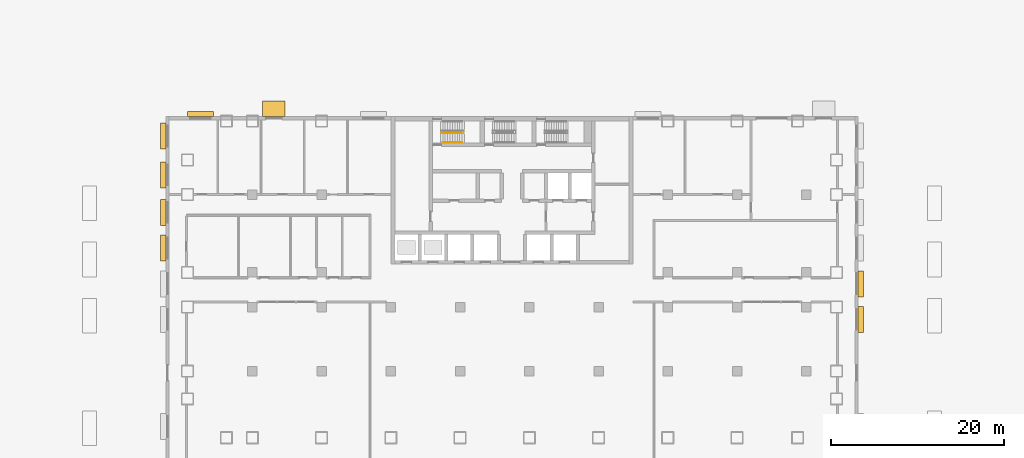
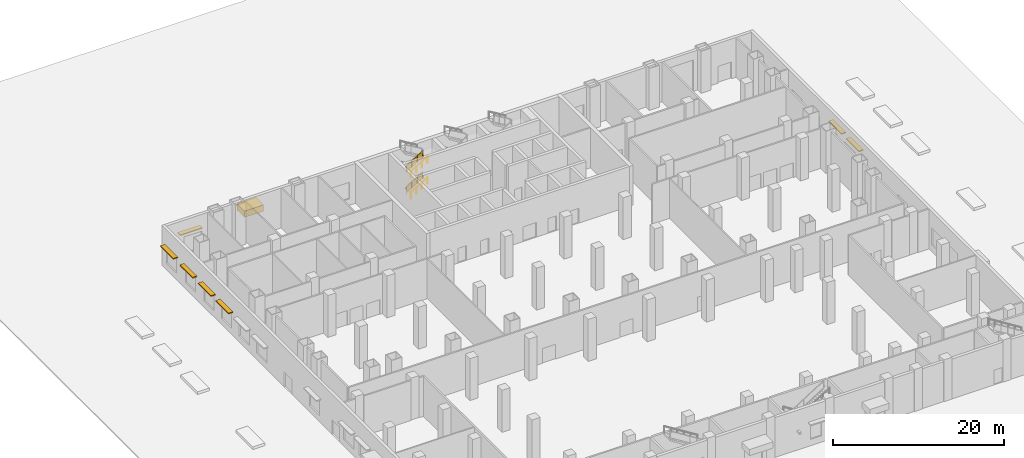
# One storey, part 15 of 18: 8 shading devices, 4 railings.
"""IFC4 building model written with IfcOpenShell, lengths in metres."""

from ifc_helpers import new_model, si_unit, direction, frame, frame_2d, origin, origin_2d, place, context, subcontext, project, spatial, rectangle, circle, extrude, material, layer, layer_set, type_object, element, save


model = new_model("IFC4")

# Units and contexts
model_context = context("Model", 3, precision=1e-05, world=origin(), true_north=direction((0.0, 1.0)))
body_context = subcontext(model_context, "Body", "Model", "MODEL_VIEW")
ifc_project = project(units=[si_unit("LENGTHUNIT", "METRE"), si_unit("AREAUNIT", "SQUARE_METRE"), si_unit("VOLUMEUNIT", "CUBIC_METRE"), si_unit("PLANEANGLEUNIT", "RADIAN"), si_unit("MASSUNIT", "GRAM", prefix="KILO")], contexts=[model_context])

# Site, building, storey
site_placement = place(None, origin())
site = spatial("IfcSite", under=ifc_project, at=site_placement, CompositionType="ELEMENT")
building_placement = place(site_placement, origin())
building = spatial("IfcBuilding", under=site, at=building_placement, Name="Vidyagriha Tower", CompositionType="ELEMENT")
storey_placement = place(building_placement, origin())
storey = spatial("IfcBuildingStorey", under=building, at=storey_placement, Name="L00", CompositionType="ELEMENT", Elevation=0.0)

# Shading devices
ifc_material_1 = material(Name="Precast concrete C40/50 with brick facing", Category="concrete")
ifc_layer_1 = layer(ifc_material_1, 0.14990234375)
ifc_layer_set_1 = layer_set([ifc_layer_1], Name="Precast concrete C40/50 with brick facing")
shading_device_type_1 = type_object("IfcShadingDeviceType", Name="Brick chhajja window hood", PredefinedType="AWNING", material=ifc_layer_set_1)
for number, where, z_axis, x_axis, name in (
    (1, (40.300048828125, -3.4375, 3.300048828125), (0.0, 0.0, 1.0), (0.0, 1.0, 0.0), "Window hood L00 R01.14"),
    (2, (40.300048828125, 0.6875, 3.300048828125), (0.0, 0.0, 1.0), (0.0, 1.0, 0.0), "Window hood L00 R01.15"),
    (3, (-36.0, 20.300048828125, 3.300048828125), (0.0, 0.0, 1.0), (-1.0, 0.0, 0.0), "Window hood L00 R04.14"),
    (4, (-40.300048828125, 17.75, 3.300048828125), (0.0, 0.0, 1.0), (0.0, -1.0, 0.0), "Window hood L00 R05.1"),
    (5, (-40.300048828125, 13.25, 3.300048828125), (0.0, 0.0, 1.0), (0.0, -1.0, 0.0), "Window hood L00 R05.2"),
    (6, (-40.300048828125, 8.9375, 3.300048828125), (0.0, 0.0, 1.0), (0.0, -1.0, 0.0), "Window hood L00 R05.3"),
    (7, (-40.300048828125, 4.8125, 3.300048828125), (0.0, 0.0, 1.0), (0.0, -1.0, 0.0), "Window hood L00 R05.4"),
):
    element("IfcShadingDevice", number, at=place(storey_placement, frame(where, z_axis=z_axis, x_axis=x_axis)), inside=storey, type_object=shading_device_type_1, Name=name, PredefinedType="AWNING", context=body_context, shape_type="SweptSolid", body=[
        extrude(rectangle(XDim=3.0, YDim=0.60009765625, at=origin_2d()), origin(), (0.0, 0.0, 1.0), 0.14990234375),
    ])
ifc_material_2 = material(Name="Precast concrete C40/50 with brick facing", Category="concrete")
ifc_layer_2 = layer(ifc_material_2, 0.89990234375)
ifc_layer_set_2 = layer_set([ifc_layer_2], Name="Precast concrete C40/50 with brick facing")
shading_device_type_2 = type_object("IfcShadingDeviceType", Name="Brick-faced entrance portal hood", PredefinedType="USERDEFINED", material=ifc_layer_set_2)
shading_device_placement = place(storey_placement, frame((-26.199951171875, 20.89990234375, 2.89990234375), z_axis=(0.0, 0.0, 1.0), x_axis=(-1.0, 0.0, 0.0)))
element("IfcShadingDevice", 8, at=shading_device_placement, inside=storey, type_object=shading_device_type_2, Name="Stair exit portal hood E4", ObjectType="PORTAL", PredefinedType="USERDEFINED", context=body_context, shape_type="SweptSolid", body=[
    extrude(rectangle(XDim=2.60009765625, YDim=1.800048828125, at=frame_2d((1.300048828125, 0.0))), origin(), (0.0, 0.0, 1.0), 0.900146484375),
])

# Railings
ifc_material_3 = material(Name="Steel ASTM A500 Grade C", Category="steel")
railing_type_1 = type_object("IfcRailingType", Name="Stair guard 1100 mm, steel balustrade", PredefinedType="GUARDRAIL", material=ifc_material_3)
for number, where, name in (
    (9, (-8.0, 18.10009765625, 0.166748046875), "L00 ST1 stair guard 1"),
    (10, (-8.0, 18.10009765625, 3.166748046875), "L00 ST1 stair guard 5"),
):
    element("IfcRailing", number, at=place(storey_placement, frame(where)), inside=storey, type_object=railing_type_1, Name=name, PredefinedType="GUARDRAIL", context=body_context, shape_type="SweptSolid", body=[
        extrude(circle(Radius=0.02392578125, at=origin_2d()), frame((0.0, 0.0, 1.076171875), z_axis=(0.859305625298, 0.0, 0.511462454469), x_axis=(0.0, 1.0, 0.0)), (0.0, 0.0, 1.0), 2.606689453125),
        extrude(circle(Radius=0.02099609375, at=origin_2d()), origin(), (0.0, 0.0, 1.0), 1.052001953125),
        extrude(circle(Radius=0.02099609375, at=origin_2d()), frame((0.74658203125, 0.0, 0.4443359375)), (0.0, 0.0, 1.0), 1.052001953125),
        extrude(circle(Radius=0.02099609375, at=origin_2d()), frame((1.493408203125, 0.0, 0.888916015625)), (0.0, 0.0, 1.0), 1.052001953125),
        extrude(circle(Radius=0.02099609375, at=origin_2d()), frame((2.239990234375, 0.0, 1.333251953125)), (0.0, 0.0, 1.0), 1.052001953125),
        extrude(rectangle(XDim=0.010009765625, YDim=0.775146484375, at=origin_2d()), frame((0.0, 0.0, 0.551025390625), z_axis=(0.859305625298, 0.0, 0.511462454469), x_axis=(0.0, 1.0, 0.0)), (0.0, 0.0, 1.0), 2.606689453125),
    ])
ifc_material_4 = material(Name="Steel ASTM A500 Grade C", Category="steel")
railing_type_2 = type_object("IfcRailingType", Name="Stair handrail 900 mm, steel", PredefinedType="HANDRAIL", material=ifc_material_4)
for number, where, name in (
    (11, (-8.0, 17.0, 0.166748046875), "L00 ST1 stair handrail 1"),
    (12, (-8.0, 17.0, 3.166748046875), "L00 ST1 stair handrail 3"),
):
    element("IfcRailing", number, at=place(storey_placement, frame(where)), inside=storey, type_object=railing_type_2, Name=name, PredefinedType="HANDRAIL", context=body_context, shape_type="SweptSolid", body=[
        extrude(circle(Radius=0.02392578125, at=origin_2d()), frame((0.0, 0.0, 0.8759765625), z_axis=(0.859305625298, 0.0, 0.511462454469), x_axis=(0.0, 1.0, 0.0)), (0.0, 0.0, 1.0), 2.606689453125),
        extrude(circle(Radius=0.02099609375, at=origin_2d()), origin(), (0.0, 0.0, 1.0), 0.851806640625),
        extrude(circle(Radius=0.02099609375, at=origin_2d()), frame((0.74658203125, 0.0, 0.4443359375)), (0.0, 0.0, 1.0), 0.851806640625),
        extrude(circle(Radius=0.02099609375, at=origin_2d()), frame((1.493408203125, 0.0, 0.888916015625)), (0.0, 0.0, 1.0), 0.851806640625),
        extrude(circle(Radius=0.02099609375, at=origin_2d()), frame((2.239990234375, 0.0, 1.333251953125)), (0.0, 0.0, 1.0), 0.851806640625),
    ])

save(model, "model.ifc")
